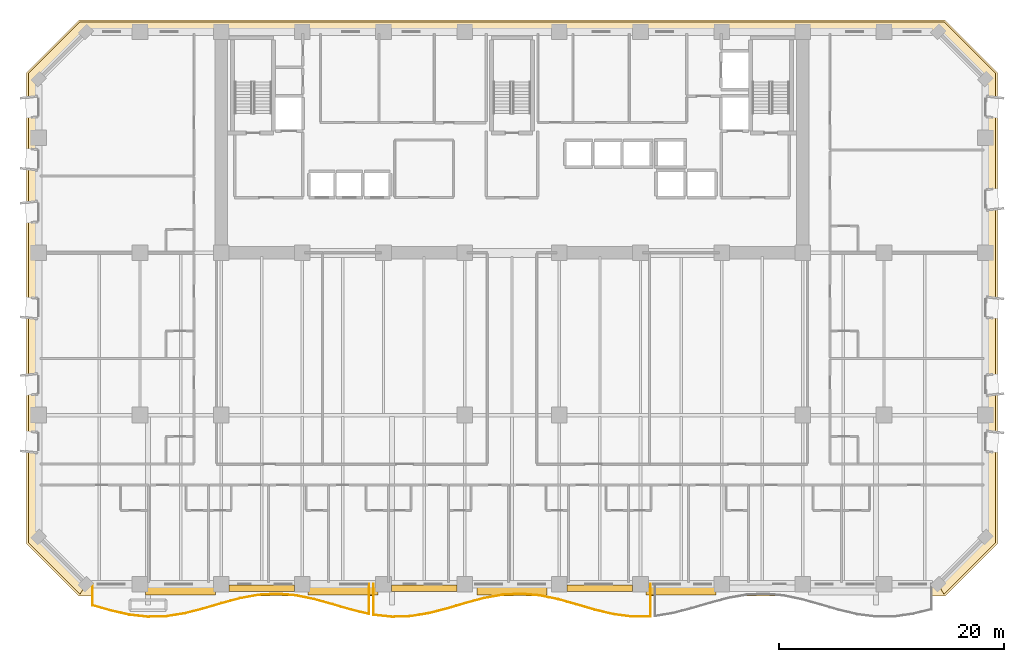
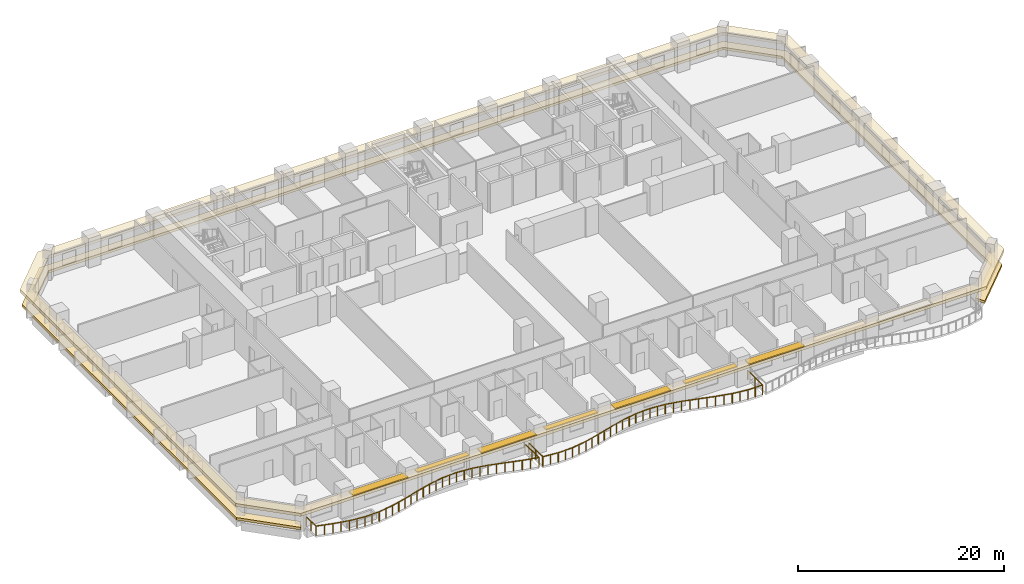
# One storey, part 13 of 16: 7 shading devices, 2 coverings, 2 railings.
"""IFC4 building model written with IfcOpenShell, lengths in metres."""

from ifc_helpers import new_model, si_unit, direction, frame, origin, origin_2d, place, context, subcontext, project, spatial, polyline, rectangle, outline, extrude, material, layer, layer_set, type_object, element, save


model = new_model("IFC4")

# Units and contexts
model_context = context("Model", 3, precision=1e-05, world=origin(), true_north=direction((0.0, 1.0)))
body_context = subcontext(model_context, "Body", "Model", "MODEL_VIEW")
ifc_project = project(units=[si_unit("LENGTHUNIT", "METRE"), si_unit("AREAUNIT", "SQUARE_METRE"), si_unit("VOLUMEUNIT", "CUBIC_METRE"), si_unit("PLANEANGLEUNIT", "RADIAN"), si_unit("MASSUNIT", "GRAM", prefix="KILO")], contexts=[model_context])

# Site, building, storey
site_placement = place(None, origin())
site = spatial("IfcSite", under=ifc_project, at=site_placement, CompositionType="ELEMENT")
building_placement = place(site_placement, origin())
building = spatial("IfcBuilding", under=site, at=building_placement, Name="Kaelvorn Grand Hotel", CompositionType="ELEMENT")
storey_placement = place(building_placement, frame((0.0, 0.0, 35.14990234375)))
storey = spatial("IfcBuildingStorey", under=building, at=storey_placement, Name="L06", CompositionType="ELEMENT", Elevation=35.14990234375)

# Coverings
ifc_material_1 = material(Name="Precast concrete C45/55", Category="concrete")
ifc_layer_1 = layer(ifc_material_1, 0.260009765625)
ifc_layer_set_1 = layer_set([ifc_layer_1], Name="Precast concrete C45/55")
covering_type_1 = type_object("IfcCoveringType", Name="COV-BAND-STREAMLINE-HEAD", PredefinedType="CLADDING", material=ifc_layer_set_1)
covering_1_placement = place(storey_placement, frame((0.0, 0.0, 2.18017578125)))
element("IfcCovering", 1, at=covering_1_placement, inside=storey, type_object=covering_type_1, Name="L06 Streamline Moderne Wraparound Horizontal Eyebrow Band", PredefinedType="CLADDING", context=body_context, shape_type="SweptSolid", body=[
    extrude(outline(polyline([(3.590087890625, -1.050048828125), (80.409912109375, -1.050048828125), (85.050048828125, 3.590087890625), (85.050048828125, 45.409912109375), (80.409912109375, 50.050048828125), (3.590087890625, 50.050048828125), (-1.050048828125, 45.409912109375), (-1.050048828125, 3.590087890625), (3.590087890625, -1.050048828125)]), holes=[polyline([(4.219970703125, 0.030029296875), (79.780029296875, 0.030029296875), (83.969970703125, 4.219970703125), (83.969970703125, 44.780029296875), (79.780029296875, 48.969970703125), (4.219970703125, 48.969970703125), (0.030029296875, 44.780029296875), (0.030029296875, 4.219970703125), (4.219970703125, 0.030029296875)])]), origin(), (0.0, 0.0, 1.0), 0.35986328125),
])
ifc_layer_2 = layer(ifc_material_1, 0.219970703125)
ifc_layer_set_2 = layer_set([ifc_layer_2], Name="Precast concrete C45/55")
covering_type_2 = type_object("IfcCoveringType", Name="COV-BAND-STREAMLINE-SILL", PredefinedType="CLADDING", material=ifc_layer_set_2)
covering_2_placement = place(storey_placement, frame((0.0, 0.0, 0.4501953125)))
element("IfcCovering", 2, at=covering_2_placement, inside=storey, type_object=covering_type_2, Name="L06 Streamline Moderne Wraparound Horizontal Sill Spandrel Band", PredefinedType="CLADDING", context=body_context, shape_type="SweptSolid", body=[
    extrude(outline(polyline([(80.3154296875, -0.8798828125), (84.8798828125, 3.6845703125), (84.8798828125, 45.3154296875), (80.3154296875, 49.8798828125), (3.6845703125, 49.8798828125), (-0.8798828125, 45.3154296875), (-0.8798828125, 3.6845703125), (3.6845703125, -0.8798828125), (4.217529296875, 0.030029296875), (0.030029296875, 4.217529296875), (0.030029296875, 44.782470703125), (4.217529296875, 48.969970703125), (79.782470703125, 48.969970703125), (83.969970703125, 44.782470703125), (83.969970703125, 4.217529296875), (79.782470703125, 0.030029296875), (80.3154296875, -0.8798828125)])), origin(), (0.0, 0.0, 1.0), 0.2998046875),
])

# Railings
ifc_material_2 = material(Name="Stainless Steel", Category="steel")
railing_type = type_object("IfcRailingType", Name="RL-BALC-1150", PredefinedType="BALUSTRADE", material=ifc_material_2)
railing_1_placement = place(storey_placement, frame((4.800048828125, 0.0, 0.0)))
element("IfcRailing", 3, at=railing_1_placement, inside=storey, type_object=railing_type, Name="L06 Scalloped Wave Balcony Balustrade GR1-1", PredefinedType="BALUSTRADE", context=body_context, shape_type="SweptSolid", body=[
    extrude(rectangle(XDim=0.048095703125, YDim=0.048095703125, at=origin_2d()), frame((0.0, 0.0, 1.1259765625), z_axis=(0.0, -1.0, 0.0), x_axis=(1.0, 0.0, 0.0)), (0.0, 0.0, 1.0), 1.875),
    extrude(rectangle(XDim=0.048095703125, YDim=0.048095703125, at=origin_2d()), frame((0.0, -1.875, 1.1259765625), z_axis=(0.961182099659, -0.275914789916, 0.0), x_axis=(0.275914789916, 0.961182099659, 0.0)), (0.0, 0.0, 1.0), 1.70166015625),
    extrude(rectangle(XDim=0.048095703125, YDim=0.048095703125, at=origin_2d()), frame((1.635498046875, -2.344482421875, 1.1259765625), z_axis=(0.975960285226, -0.21794843808, 0.0), x_axis=(0.21794843808, 0.975960285226, 0.0)), (0.0, 0.0, 1.0), 1.67578125),
    extrude(rectangle(XDim=0.048095703125, YDim=0.048095703125, at=origin_2d()), frame((3.27099609375, -2.709716796875, 1.1259765625), z_axis=(0.994020469758, -0.109193890409, 0.0), x_axis=(0.109193890409, 0.994020469758, 0.0)), (0.0, 0.0, 1.0), 1.6455078125),
    extrude(rectangle(XDim=0.048095703125, YDim=0.048095703125, at=origin_2d()), frame((4.90673828125, -2.889404296875, 1.1259765625), z_axis=(0.999614765722, 0.02775464195, 0.0), x_axis=(-0.02775464195, 0.999614765722, 0.0)), (0.0, 0.0, 1.0), 1.63623046875),
    extrude(rectangle(XDim=0.048095703125, YDim=0.048095703125, at=origin_2d()), frame((6.542236328125, -2.843994140625, 1.1259765625), z_axis=(0.987528788289, 0.157438534989, 0.0), x_axis=(-0.157438534989, 0.987528788289, 0.0)), (0.0, 0.0, 1.0), 1.65625),
    extrude(rectangle(XDim=0.048095703125, YDim=0.048095703125, at=origin_2d()), frame((8.177734375, -2.583251953125, 1.1259765625), z_axis=(0.968861629416, 0.247602792888, 0.0), x_axis=(-0.247602792888, 0.968861629416, 0.0)), (0.0, 0.0, 1.0), 1.68798828125),
    extrude(rectangle(XDim=0.048095703125, YDim=0.048095703125, at=origin_2d()), frame((9.813232421875, -2.165283203125, 1.1259765625), z_axis=(0.959105197492, 0.283049854522, 0.0), x_axis=(-0.283049854522, 0.959105197492, 0.0)), (0.0, 0.0, 1.0), 1.705322265625),
    extrude(rectangle(XDim=0.048095703125, YDim=0.048095703125, at=origin_2d()), frame((11.44873046875, -1.6826171875, 1.1259765625), z_axis=(0.965718666242, 0.25959094297, 0.0), x_axis=(-0.25959094297, 0.965718666242, 0.0)), (0.0, 0.0, 1.0), 1.69384765625),
    extrude(rectangle(XDim=0.048095703125, YDim=0.048095703125, at=origin_2d()), frame((13.08447265625, -1.242919921875, 1.1259765625), z_axis=(0.983662506195, 0.180022426122, 0.0), x_axis=(-0.180022426122, 0.983662506195, 0.0)), (0.0, 0.0, 1.0), 1.66259765625),
    extrude(rectangle(XDim=0.048095703125, YDim=0.048095703125, at=origin_2d()), frame((14.719970703125, -0.943603515625, 1.1259765625), z_axis=(0.998403431973, 0.056485281492, 0.0), x_axis=(-0.056485281492, 0.998403431973, 0.0)), (0.0, 0.0, 1.0), 1.63818359375),
    extrude(rectangle(XDim=0.048095703125, YDim=0.048095703125, at=origin_2d()), frame((16.35546875, -0.85107421875, 1.1259765625), z_axis=(0.996610094372, -0.082269798804, 0.0), x_axis=(0.082269798804, 0.996610094372, 0.0)), (0.0, 0.0, 1.0), 1.64111328125),
    extrude(rectangle(XDim=0.048095703125, YDim=0.048095703125, at=origin_2d()), frame((17.990966796875, -0.986083984375, 1.1259765625), z_axis=(0.979985536223, -0.199068703701, 0.0), x_axis=(0.199068703701, 0.979985536223, 0.0)), (0.0, 0.0, 1.0), 1.669189453125),
    extrude(rectangle(XDim=0.048095703125, YDim=0.048095703125, at=origin_2d()), frame((19.626708984375, -1.318359375, 1.1259765625), z_axis=(0.963251690304, -0.268600411627, 0.0), x_axis=(0.268600411627, 0.963251690304, 0.0)), (0.0, 0.0, 1.0), 1.697998046875),
    extrude(rectangle(XDim=0.048095703125, YDim=0.048095703125, at=origin_2d()), frame((21.26220703125, -1.7744140625, 1.1259765625), z_axis=(0.959763780104, -0.280808629498, 0.0), x_axis=(0.280808629498, 0.959763780104, 0.0)), (0.0, 0.0, 1.0), 1.7041015625),
    extrude(rectangle(XDim=0.048095703125, YDim=0.048095703125, at=origin_2d()), frame((22.897705078125, -2.2529296875, 1.1259765625), z_axis=(0.972148369978, -0.234366266236, 0.0), x_axis=(0.234366266236, 0.972148369978, 0.0)), (0.0, 0.0, 1.0), 1.682373046875),
    extrude(rectangle(XDim=0.048095703125, YDim=0.048095703125, at=origin_2d()), frame((24.533203125, -2.647216796875, 1.1259765625), z_axis=(0.0, 1.0, 0.0), x_axis=(-1.0, 0.0, 0.0)), (0.0, 0.0, 1.0), 2.647216796875),
    extrude(rectangle(XDim=0.0419921875, YDim=0.0419921875, at=origin_2d()), origin(), (0.0, 0.0, 1.0), 1.101806640625),
    extrude(rectangle(XDim=0.0419921875, YDim=0.0419921875, at=origin_2d()), frame((0.0, -0.9375, 0.0)), (0.0, 0.0, 1.0), 1.101806640625),
    extrude(rectangle(XDim=0.0419921875, YDim=0.0419921875, at=origin_2d()), frame((0.0, -1.875, 0.0)), (0.0, 0.0, 1.0), 1.101806640625),
    extrude(rectangle(XDim=0.0419921875, YDim=0.0419921875, at=origin_2d()), frame((0.81787109375, -2.10986328125, 0.0)), (0.0, 0.0, 1.0), 1.101806640625),
    extrude(rectangle(XDim=0.0419921875, YDim=0.0419921875, at=origin_2d()), frame((1.635498046875, -2.344482421875, 0.0)), (0.0, 0.0, 1.0), 1.101806640625),
    extrude(rectangle(XDim=0.0419921875, YDim=0.0419921875, at=origin_2d()), frame((2.453125, -2.527099609375, 0.0)), (0.0, 0.0, 1.0), 1.101806640625),
    extrude(rectangle(XDim=0.0419921875, YDim=0.0419921875, at=origin_2d()), frame((3.27099609375, -2.709716796875, 0.0)), (0.0, 0.0, 1.0), 1.101806640625),
    extrude(rectangle(XDim=0.0419921875, YDim=0.0419921875, at=origin_2d()), frame((4.0888671875, -2.799560546875, 0.0)), (0.0, 0.0, 1.0), 1.101806640625),
    extrude(rectangle(XDim=0.0419921875, YDim=0.0419921875, at=origin_2d()), frame((4.90673828125, -2.889404296875, 0.0)), (0.0, 0.0, 1.0), 1.101806640625),
    extrude(rectangle(XDim=0.0419921875, YDim=0.0419921875, at=origin_2d()), frame((5.724609375, -2.86669921875, 0.0)), (0.0, 0.0, 1.0), 1.101806640625),
    extrude(rectangle(XDim=0.0419921875, YDim=0.0419921875, at=origin_2d()), frame((6.542236328125, -2.843994140625, 0.0)), (0.0, 0.0, 1.0), 1.101806640625),
    extrude(rectangle(XDim=0.0419921875, YDim=0.0419921875, at=origin_2d()), frame((7.35986328125, -2.713623046875, 0.0)), (0.0, 0.0, 1.0), 1.101806640625),
    extrude(rectangle(XDim=0.0419921875, YDim=0.0419921875, at=origin_2d()), frame((8.177734375, -2.583251953125, 0.0)), (0.0, 0.0, 1.0), 1.101806640625),
    extrude(rectangle(XDim=0.0419921875, YDim=0.0419921875, at=origin_2d()), frame((8.99560546875, -2.374267578125, 0.0)), (0.0, 0.0, 1.0), 1.101806640625),
    extrude(rectangle(XDim=0.0419921875, YDim=0.0419921875, at=origin_2d()), frame((9.813232421875, -2.165283203125, 0.0)), (0.0, 0.0, 1.0), 1.101806640625),
    extrude(rectangle(XDim=0.0419921875, YDim=0.0419921875, at=origin_2d()), frame((10.630859375, -1.923828125, 0.0)), (0.0, 0.0, 1.0), 1.101806640625),
    extrude(rectangle(XDim=0.0419921875, YDim=0.0419921875, at=origin_2d()), frame((11.44873046875, -1.6826171875, 0.0)), (0.0, 0.0, 1.0), 1.101806640625),
    extrude(rectangle(XDim=0.0419921875, YDim=0.0419921875, at=origin_2d()), frame((12.2666015625, -1.462890625, 0.0)), (0.0, 0.0, 1.0), 1.101806640625),
    extrude(rectangle(XDim=0.0419921875, YDim=0.0419921875, at=origin_2d()), frame((13.08447265625, -1.242919921875, 0.0)), (0.0, 0.0, 1.0), 1.101806640625),
    extrude(rectangle(XDim=0.0419921875, YDim=0.0419921875, at=origin_2d()), frame((13.90234375, -1.09326171875, 0.0)), (0.0, 0.0, 1.0), 1.101806640625),
    extrude(rectangle(XDim=0.0419921875, YDim=0.0419921875, at=origin_2d()), frame((14.719970703125, -0.943603515625, 0.0)), (0.0, 0.0, 1.0), 1.101806640625),
    extrude(rectangle(XDim=0.0419921875, YDim=0.0419921875, at=origin_2d()), frame((15.53759765625, -0.8974609375, 0.0)), (0.0, 0.0, 1.0), 1.101806640625),
    extrude(rectangle(XDim=0.0419921875, YDim=0.0419921875, at=origin_2d()), frame((16.35546875, -0.85107421875, 0.0)), (0.0, 0.0, 1.0), 1.101806640625),
    extrude(rectangle(XDim=0.0419921875, YDim=0.0419921875, at=origin_2d()), frame((17.17333984375, -0.91845703125, 0.0)), (0.0, 0.0, 1.0), 1.101806640625),
    extrude(rectangle(XDim=0.0419921875, YDim=0.0419921875, at=origin_2d()), frame((17.990966796875, -0.986083984375, 0.0)), (0.0, 0.0, 1.0), 1.101806640625),
    extrude(rectangle(XDim=0.0419921875, YDim=0.0419921875, at=origin_2d()), frame((18.808837890625, -1.15234375, 0.0)), (0.0, 0.0, 1.0), 1.101806640625),
    extrude(rectangle(XDim=0.0419921875, YDim=0.0419921875, at=origin_2d()), frame((19.626708984375, -1.318359375, 0.0)), (0.0, 0.0, 1.0), 1.101806640625),
    extrude(rectangle(XDim=0.0419921875, YDim=0.0419921875, at=origin_2d()), frame((20.4443359375, -1.54638671875, 0.0)), (0.0, 0.0, 1.0), 1.101806640625),
    extrude(rectangle(XDim=0.0419921875, YDim=0.0419921875, at=origin_2d()), frame((21.26220703125, -1.7744140625, 0.0)), (0.0, 0.0, 1.0), 1.101806640625),
    extrude(rectangle(XDim=0.0419921875, YDim=0.0419921875, at=origin_2d()), frame((22.080078125, -2.013671875, 0.0)), (0.0, 0.0, 1.0), 1.101806640625),
    extrude(rectangle(XDim=0.0419921875, YDim=0.0419921875, at=origin_2d()), frame((22.897705078125, -2.2529296875, 0.0)), (0.0, 0.0, 1.0), 1.101806640625),
    extrude(rectangle(XDim=0.0419921875, YDim=0.0419921875, at=origin_2d()), frame((23.71533203125, -2.4501953125, 0.0)), (0.0, 0.0, 1.0), 1.101806640625),
    extrude(rectangle(XDim=0.0419921875, YDim=0.0419921875, at=origin_2d()), frame((24.533203125, -2.647216796875, 0.0)), (0.0, 0.0, 1.0), 1.101806640625),
    extrude(rectangle(XDim=0.0419921875, YDim=0.0419921875, at=origin_2d()), frame((24.533203125, -1.32373046875, 0.0)), (0.0, 0.0, 1.0), 1.101806640625),
    extrude(rectangle(XDim=0.0419921875, YDim=0.0419921875, at=origin_2d()), frame((24.533203125, 0.0, 0.0)), (0.0, 0.0, 1.0), 1.101806640625),
])
railing_2_placement = place(storey_placement, frame((29.7333984375, 0.0, 0.0)))
element("IfcRailing", 4, at=railing_2_placement, inside=storey, type_object=railing_type, Name="L06 Scalloped Wave Balcony Balustrade GR1-2", PredefinedType="BALUSTRADE", context=body_context, shape_type="SweptSolid", body=[
    extrude(rectangle(XDim=0.048095703125, YDim=0.048095703125, at=origin_2d()), frame((0.0, 0.0, 1.1259765625), z_axis=(0.0, -1.0, 0.0), x_axis=(1.0, 0.0, 0.0)), (0.0, 0.0, 1.0), 2.72021484375),
    extrude(rectangle(XDim=0.048095703125, YDim=0.048095703125, at=origin_2d()), frame((0.0, -2.72021484375, 1.1259765625), z_axis=(0.994538755279, -0.104367927297, 0.0), x_axis=(0.104367927297, 0.994538755279, 0.0)), (0.0, 0.0, 1.0), 1.64453125),
    extrude(rectangle(XDim=0.048095703125, YDim=0.048095703125, at=origin_2d()), frame((1.635498046875, -2.891845703125, 1.1259765625), z_axis=(0.999451346104, 0.033121092527, 0.0), x_axis=(-0.033121092527, 0.999451346104, 0.0)), (0.0, 0.0, 1.0), 1.636474609375),
    extrude(rectangle(XDim=0.048095703125, YDim=0.048095703125, at=origin_2d()), frame((3.27099609375, -2.837646484375, 1.1259765625), z_axis=(0.986832291042, 0.161746806324, 0.0), x_axis=(-0.161746806324, 0.986832291042, 0.0)), (0.0, 0.0, 1.0), 1.6572265625),
    extrude(rectangle(XDim=0.048095703125, YDim=0.048095703125, at=origin_2d()), frame((4.906494140625, -2.569580078125, 1.1259765625), z_axis=(0.968243477418, 0.250009136707, 0.0), x_axis=(-0.250009136707, 0.968243477418, 0.0)), (0.0, 0.0, 1.0), 1.689453125),
    extrude(rectangle(XDim=0.048095703125, YDim=0.048095703125, at=origin_2d()), frame((6.542236328125, -2.147216796875, 1.1259765625), z_axis=(0.959105197492, 0.283049854522, 0.0), x_axis=(-0.283049854522, 0.959105197492, 0.0)), (0.0, 0.0, 1.0), 1.705322265625),
    extrude(rectangle(XDim=0.048095703125, YDim=0.048095703125, at=origin_2d()), frame((8.177734375, -1.66455078125, 1.1259765625), z_axis=(0.966249302034, 0.257608785406, 0.0), x_axis=(-0.257608785406, 0.966249302034, 0.0)), (0.0, 0.0, 1.0), 1.692626953125),
    extrude(rectangle(XDim=0.048095703125, YDim=0.048095703125, at=origin_2d()), frame((9.813232421875, -1.228515625, 1.1259765625), z_axis=(0.984383042767, 0.176039839563, 0.0), x_axis=(-0.176039839563, 0.984383042767, 0.0)), (0.0, 0.0, 1.0), 1.661376953125),
    extrude(rectangle(XDim=0.048095703125, YDim=0.048095703125, at=origin_2d()), frame((11.44873046875, -0.93603515625, 1.1259765625), z_axis=(0.998684533852, 0.051275743231, 0.0), x_axis=(-0.051275743231, 0.998684533852, 0.0)), (0.0, 0.0, 1.0), 1.637939453125),
    extrude(rectangle(XDim=0.048095703125, YDim=0.048095703125, at=origin_2d()), frame((13.08447265625, -0.85205078125, 1.1259765625), z_axis=(0.996182895251, -0.087290544785, 0.0), x_axis=(0.087290544785, 0.996182895251, 0.0)), (0.0, 0.0, 1.0), 1.641845703125),
    extrude(rectangle(XDim=0.048095703125, YDim=0.048095703125, at=origin_2d()), frame((14.719970703125, -0.995361328125, 1.1259765625), z_axis=(0.979231407671, -0.202745777346, 0.0), x_axis=(0.202745777346, 0.979231407671, 0.0)), (0.0, 0.0, 1.0), 1.670166015625),
    extrude(rectangle(XDim=0.048095703125, YDim=0.048095703125, at=origin_2d()), frame((16.35546875, -1.333984375, 1.1259765625), z_axis=(0.962804134231, -0.270200294425, 0.0), x_axis=(0.270200294425, 0.962804134231, 0.0)), (0.0, 0.0, 1.0), 1.69873046875),
    extrude(rectangle(XDim=0.048095703125, YDim=0.048095703125, at=origin_2d()), frame((17.990966796875, -1.79296875, 1.1259765625), z_axis=(0.960006418895, -0.279977991421, 0.0), x_axis=(0.279977991421, 0.960006418895, 0.0)), (0.0, 0.0, 1.0), 1.703857421875),
    extrude(rectangle(XDim=0.048095703125, YDim=0.048095703125, at=origin_2d()), frame((19.626708984375, -2.27001953125, 1.1259765625), z_axis=(0.972806214685, -0.231620527306, 0.0), x_axis=(0.231620527306, 0.972806214685, 0.0)), (0.0, 0.0, 1.0), 1.68115234375),
    extrude(rectangle(XDim=0.048095703125, YDim=0.048095703125, at=origin_2d()), frame((21.26220703125, -2.659423828125, 1.1259765625), z_axis=(0.991462857149, -0.130389427847, 0.0), x_axis=(0.130389427847, 0.991462857149, 0.0)), (0.0, 0.0, 1.0), 1.649658203125),
    extrude(rectangle(XDim=0.048095703125, YDim=0.048095703125, at=origin_2d()), frame((22.897705078125, -2.87451171875, 1.1259765625), z_axis=(0.99999126505, 0.004179691808, 0.0), x_axis=(-0.004179691808, 0.99999126505, 0.0)), (0.0, 0.0, 1.0), 1.635498046875),
    extrude(rectangle(XDim=0.048095703125, YDim=0.048095703125, at=origin_2d()), frame((24.533203125, -2.86767578125, 1.1259765625), z_axis=(0.0, 1.0, 0.0), x_axis=(-1.0, 0.0, 0.0)), (0.0, 0.0, 1.0), 2.86767578125),
    extrude(rectangle(XDim=0.0419921875, YDim=0.0419921875, at=origin_2d()), origin(), (0.0, 0.0, 1.0), 1.101806640625),
    extrude(rectangle(XDim=0.0419921875, YDim=0.0419921875, at=origin_2d()), frame((0.0, -1.360107421875, 0.0)), (0.0, 0.0, 1.0), 1.101806640625),
    extrude(rectangle(XDim=0.0419921875, YDim=0.0419921875, at=origin_2d()), frame((0.0, -2.72021484375, 0.0)), (0.0, 0.0, 1.0), 1.101806640625),
    extrude(rectangle(XDim=0.0419921875, YDim=0.0419921875, at=origin_2d()), frame((0.81787109375, -2.80615234375, 0.0)), (0.0, 0.0, 1.0), 1.101806640625),
    extrude(rectangle(XDim=0.0419921875, YDim=0.0419921875, at=origin_2d()), frame((1.635498046875, -2.891845703125, 0.0)), (0.0, 0.0, 1.0), 1.101806640625),
    extrude(rectangle(XDim=0.0419921875, YDim=0.0419921875, at=origin_2d()), frame((2.453125, -2.86474609375, 0.0)), (0.0, 0.0, 1.0), 1.101806640625),
    extrude(rectangle(XDim=0.0419921875, YDim=0.0419921875, at=origin_2d()), frame((3.27099609375, -2.837646484375, 0.0)), (0.0, 0.0, 1.0), 1.101806640625),
    extrude(rectangle(XDim=0.0419921875, YDim=0.0419921875, at=origin_2d()), frame((4.0888671875, -2.70361328125, 0.0)), (0.0, 0.0, 1.0), 1.101806640625),
    extrude(rectangle(XDim=0.0419921875, YDim=0.0419921875, at=origin_2d()), frame((4.906494140625, -2.569580078125, 0.0)), (0.0, 0.0, 1.0), 1.101806640625),
    extrude(rectangle(XDim=0.0419921875, YDim=0.0419921875, at=origin_2d()), frame((5.724365234375, -2.3583984375, 0.0)), (0.0, 0.0, 1.0), 1.101806640625),
    extrude(rectangle(XDim=0.0419921875, YDim=0.0419921875, at=origin_2d()), frame((6.542236328125, -2.147216796875, 0.0)), (0.0, 0.0, 1.0), 1.101806640625),
    extrude(rectangle(XDim=0.0419921875, YDim=0.0419921875, at=origin_2d()), frame((7.35986328125, -1.90576171875, 0.0)), (0.0, 0.0, 1.0), 1.101806640625),
    extrude(rectangle(XDim=0.0419921875, YDim=0.0419921875, at=origin_2d()), frame((8.177734375, -1.66455078125, 0.0)), (0.0, 0.0, 1.0), 1.101806640625),
    extrude(rectangle(XDim=0.0419921875, YDim=0.0419921875, at=origin_2d()), frame((8.99560546875, -1.446533203125, 0.0)), (0.0, 0.0, 1.0), 1.101806640625),
    extrude(rectangle(XDim=0.0419921875, YDim=0.0419921875, at=origin_2d()), frame((9.813232421875, -1.228515625, 0.0)), (0.0, 0.0, 1.0), 1.101806640625),
    extrude(rectangle(XDim=0.0419921875, YDim=0.0419921875, at=origin_2d()), frame((10.630859375, -1.082275390625, 0.0)), (0.0, 0.0, 1.0), 1.101806640625),
    extrude(rectangle(XDim=0.0419921875, YDim=0.0419921875, at=origin_2d()), frame((11.44873046875, -0.93603515625, 0.0)), (0.0, 0.0, 1.0), 1.101806640625),
    extrude(rectangle(XDim=0.0419921875, YDim=0.0419921875, at=origin_2d()), frame((12.2666015625, -0.89404296875, 0.0)), (0.0, 0.0, 1.0), 1.101806640625),
    extrude(rectangle(XDim=0.0419921875, YDim=0.0419921875, at=origin_2d()), frame((13.08447265625, -0.85205078125, 0.0)), (0.0, 0.0, 1.0), 1.101806640625),
    extrude(rectangle(XDim=0.0419921875, YDim=0.0419921875, at=origin_2d()), frame((13.90234375, -0.923828125, 0.0)), (0.0, 0.0, 1.0), 1.101806640625),
    extrude(rectangle(XDim=0.0419921875, YDim=0.0419921875, at=origin_2d()), frame((14.719970703125, -0.995361328125, 0.0)), (0.0, 0.0, 1.0), 1.101806640625),
    extrude(rectangle(XDim=0.0419921875, YDim=0.0419921875, at=origin_2d()), frame((15.53759765625, -1.16455078125, 0.0)), (0.0, 0.0, 1.0), 1.101806640625),
    extrude(rectangle(XDim=0.0419921875, YDim=0.0419921875, at=origin_2d()), frame((16.35546875, -1.333984375, 0.0)), (0.0, 0.0, 1.0), 1.101806640625),
    extrude(rectangle(XDim=0.0419921875, YDim=0.0419921875, at=origin_2d()), frame((17.17333984375, -1.5634765625, 0.0)), (0.0, 0.0, 1.0), 1.101806640625),
    extrude(rectangle(XDim=0.0419921875, YDim=0.0419921875, at=origin_2d()), frame((17.990966796875, -1.79296875, 0.0)), (0.0, 0.0, 1.0), 1.101806640625),
    extrude(rectangle(XDim=0.0419921875, YDim=0.0419921875, at=origin_2d()), frame((18.808837890625, -2.031494140625, 0.0)), (0.0, 0.0, 1.0), 1.101806640625),
    extrude(rectangle(XDim=0.0419921875, YDim=0.0419921875, at=origin_2d()), frame((19.626708984375, -2.27001953125, 0.0)), (0.0, 0.0, 1.0), 1.101806640625),
    extrude(rectangle(XDim=0.0419921875, YDim=0.0419921875, at=origin_2d()), frame((20.4443359375, -2.46484375, 0.0)), (0.0, 0.0, 1.0), 1.101806640625),
    extrude(rectangle(XDim=0.0419921875, YDim=0.0419921875, at=origin_2d()), frame((21.26220703125, -2.659423828125, 0.0)), (0.0, 0.0, 1.0), 1.101806640625),
    extrude(rectangle(XDim=0.0419921875, YDim=0.0419921875, at=origin_2d()), frame((22.080078125, -2.76708984375, 0.0)), (0.0, 0.0, 1.0), 1.101806640625),
    extrude(rectangle(XDim=0.0419921875, YDim=0.0419921875, at=origin_2d()), frame((22.897705078125, -2.87451171875, 0.0)), (0.0, 0.0, 1.0), 1.101806640625),
    extrude(rectangle(XDim=0.0419921875, YDim=0.0419921875, at=origin_2d()), frame((23.71533203125, -2.87109375, 0.0)), (0.0, 0.0, 1.0), 1.101806640625),
    extrude(rectangle(XDim=0.0419921875, YDim=0.0419921875, at=origin_2d()), frame((24.533203125, -2.86767578125, 0.0)), (0.0, 0.0, 1.0), 1.101806640625),
    extrude(rectangle(XDim=0.0419921875, YDim=0.0419921875, at=origin_2d()), frame((24.533203125, -1.433837890625, 0.0)), (0.0, 0.0, 1.0), 1.101806640625),
    extrude(rectangle(XDim=0.0419921875, YDim=0.0419921875, at=origin_2d()), frame((24.533203125, 0.0, 0.0)), (0.0, 0.0, 1.0), 1.101806640625),
])

# Shading devices
ifc_layer_3 = layer(ifc_material_1, 0.1201171875)
ifc_layer_set_3 = layer_set([ifc_layer_3], Name="Precast concrete C45/55")
shading_device_type_1 = type_object("IfcShadingDeviceType", Name="SHD-SUNSHADE-550", PredefinedType="USERDEFINED", material=ifc_layer_set_3)
for number, where, z_axis, x_axis, name in (
    (5, (19.800048828125, -0.364990234375, 2.419921875), (0.0, 0.0, 1.0), (1.0, 0.0, 0.0), "L06 Horizontal Concrete Sunshade Band SS-03"),
    (6, (34.199951171875, -0.364990234375, 2.419921875), (0.0, 0.0, 1.0), (1.0, 0.0, 0.0), "L06 Horizontal Concrete Sunshade Band SS-05"),
    (7, (49.800048828125, -0.364990234375, 2.419921875), (0.0, 0.0, 1.0), (1.0, 0.0, 0.0), "L06 Horizontal Concrete Sunshade Band SS-07"),
):
    element("IfcShadingDevice", number, at=place(storey_placement, frame(where, z_axis=z_axis, x_axis=x_axis)), inside=storey, type_object=shading_device_type_1, Name=name, ObjectType="SUNSHADE", PredefinedType="USERDEFINED", context=body_context, shape_type="SweptSolid", body=[
        extrude(rectangle(XDim=5.800048828125, YDim=0.550048828125, at=origin_2d()), origin(), (0.0, 0.0, 1.0), 0.1201171875),
    ])
ifc_layer_4 = layer(ifc_material_1, 0.139892578125)
ifc_layer_set_4 = layer_set([ifc_layer_4], Name="Precast concrete C45/55")
shading_device_type_2 = type_object("IfcShadingDeviceType", Name="SHD-SUNSHADE-850", PredefinedType="USERDEFINED", material=ifc_layer_set_4)
for number, where, z_axis, x_axis, name in (
    (8, (12.60009765625, -0.514892578125, 2.41015625), (0.0, 0.0, 1.0), (1.0, 0.0, 0.0), "L06 Horizontal Concrete Sunshade Band SS-02"),
    (9, (27.0, -0.514892578125, 2.41015625), (0.0, 0.0, 1.0), (1.0, 0.0, 0.0), "L06 Horizontal Concrete Sunshade Band SS-04"),
    (10, (42.0, -0.514892578125, 2.41015625), (0.0, 0.0, 1.0), (1.0, 0.0, 0.0), "L06 Horizontal Concrete Sunshade Band SS-06"),
    (11, (57.0, -0.514892578125, 2.41015625), (0.0, 0.0, 1.0), (1.0, 0.0, 0.0), "L06 Horizontal Concrete Sunshade Band SS-08"),
):
    element("IfcShadingDevice", number, at=place(storey_placement, frame(where, z_axis=z_axis, x_axis=x_axis)), inside=storey, type_object=shading_device_type_2, Name=name, ObjectType="SUNSHADE", PredefinedType="USERDEFINED", context=body_context, shape_type="SweptSolid", body=[
        extrude(rectangle(XDim=6.199951171875, YDim=0.85009765625, at=origin_2d()), origin(), (0.0, 0.0, 1.0), 0.139892578125),
    ])

save(model, "model.ifc")
